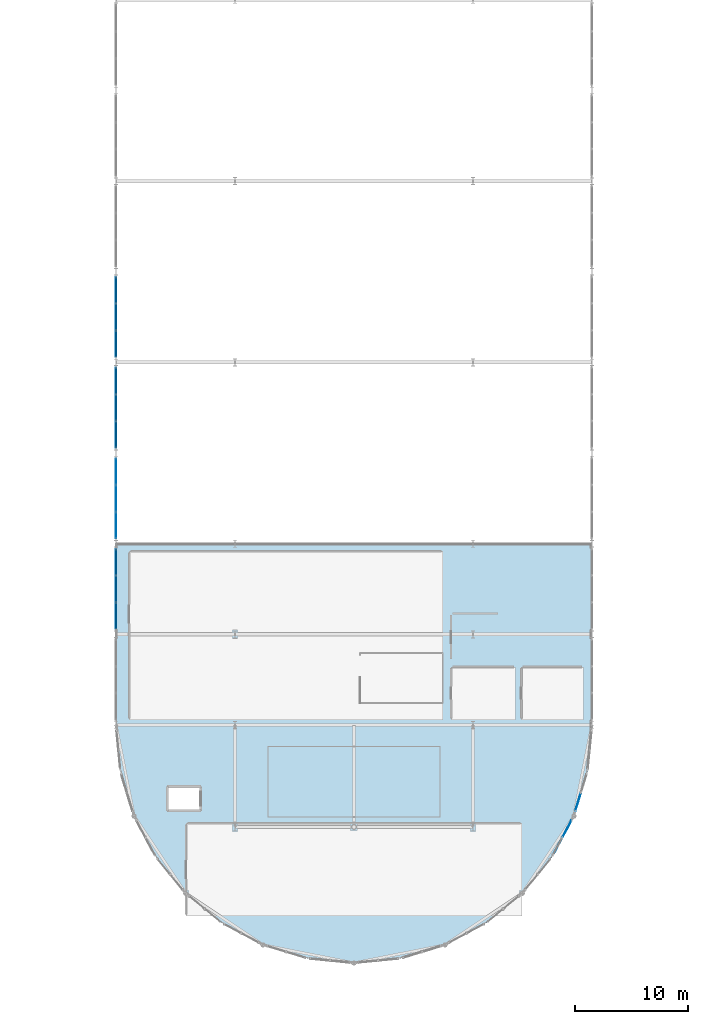
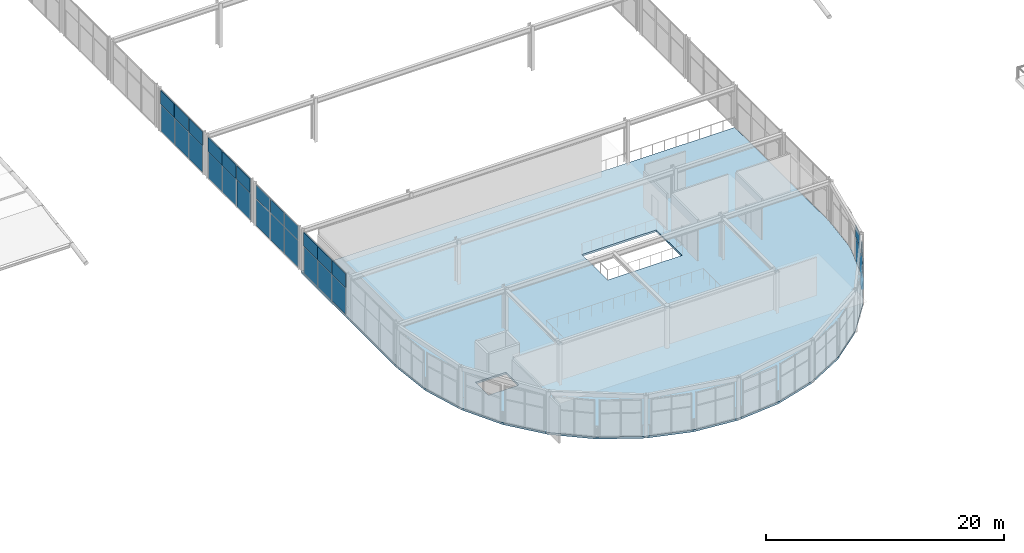
# One storey, part 53 of 105: 29 plates, 1 slab, 6 elements without a shape of their own.
"""IFC4 building model written with IfcOpenShell, lengths in metres."""

from ifc_helpers import new_model, si_unit, direction, frame, origin, origin_2d, place, context, subcontext, project, spatial, polyline, rectangle, outline, extrude, material, layer, layer_set, type_object, element, aggregate, save


model = new_model("IFC4")

# Units and contexts
model_context = context("Model", 3, precision=1e-05, world=origin(), true_north=direction((0.0, 1.0)))
body_context = subcontext(model_context, "Body", "Model", "MODEL_VIEW")
ifc_project = project(units=[si_unit("LENGTHUNIT", "METRE"), si_unit("AREAUNIT", "SQUARE_METRE"), si_unit("VOLUMEUNIT", "CUBIC_METRE"), si_unit("PLANEANGLEUNIT", "RADIAN"), si_unit("MASSUNIT", "GRAM", prefix="KILO")], contexts=[model_context])

# Site, building, storey
site_placement = place(None, origin())
site = spatial("IfcSite", under=ifc_project, at=site_placement, CompositionType="ELEMENT")
building_placement = place(site_placement, origin())
building = spatial("IfcBuilding", under=site, at=building_placement, Name="Marlcrest Central Station", CompositionType="ELEMENT")
storey_placement = place(building_placement, frame((0.0, 0.0, 15.0)))
storey = spatial("IfcBuildingStorey", under=building, at=storey_placement, Name="L03", CompositionType="ELEMENT", Elevation=15.0)

# Curtain wall, plate
ifc_material_1 = material(Name="Anodised aluminium and hurricane laminated glass", Category="aluminium")
ifc_layer_1 = layer(ifc_material_1, 0.219970703125, Name="CW-U1")
ifc_layer_set_1 = layer_set([ifc_layer_1], Name="Anodised aluminium and hurricane laminated glass")
curtain_wall_type = type_object("IfcCurtainWallType", Name="CW-U1", PredefinedType="USERDEFINED", material=ifc_layer_set_1)
curtain_wall_1_placement = place(storey_placement, origin())
curtain_wall_1 = element("IfcCurtainWall", 1, at=curtain_wall_1_placement, inside=storey, type_object=curtain_wall_type, Name="cw-L03-0054", ObjectType="UNITISED_CURTAIN_WALL", PredefinedType="USERDEFINED")
ifc_material_2 = material(Name="Hurricane laminated solar-control glass", Category="glass")
ifc_layer_2 = layer(ifc_material_2, 0.031982421875, Name="CP-01")
ifc_layer_set_2 = layer_set([ifc_layer_2], Name="Hurricane laminated solar-control glass")
plate_type_1 = type_object("IfcPlateType", Name="CP-01", PredefinedType="CURTAIN_PANEL", material=ifc_layer_set_2)
plate_1_placement = place(storey_placement, frame((126.79736328125, 13.33447265625, 0.079833984375), z_axis=(0.0, 0.0, 1.0), x_axis=(-0.471242805349, -0.882003525167, 0.0)))
plate_1 = element("IfcPlate", 2, at=plate_1_placement, type_object=plate_type_1, Name="cw-L03-0054-cp-lo-0", PredefinedType="CURTAIN_PANEL", context=body_context, shape_type="SweptSolid", body=[
    extrude(rectangle(XDim=1.677490234375, YDim=0.031982421875, at=origin_2d()), origin(), (0.0, 0.0, 1.0), 2.35009765625),
])

curtain_wall_2_placement = place(storey_placement, origin())
curtain_wall_2 = element("IfcCurtainWall", 3, at=curtain_wall_2_placement, inside=storey, type_object=curtain_wall_type, Name="cw-L03-0055", ObjectType="UNITISED_CURTAIN_WALL", PredefinedType="USERDEFINED")
plate_2_placement = place(storey_placement, frame((127.772705078125, 15.689453125, 0.079833984375), z_axis=(0.0, 0.0, 1.0), x_axis=(-0.290318080597, -0.956930202302, 0.0)))
plate_2 = element("IfcPlate", 4, at=plate_2_placement, type_object=plate_type_1, Name="cw-L03-0055-cp-lo-1", PredefinedType="CURTAIN_PANEL", context=body_context, shape_type="SweptSolid", body=[
    extrude(rectangle(XDim=1.67724609375, YDim=0.031982421875, at=origin_2d()), origin(), (0.0, 0.0, 1.0), 2.35009765625),
])

# Curtain wall, plates
curtain_wall_3_placement = place(storey_placement, origin())
curtain_wall_3 = element("IfcCurtainWall", 5, at=curtain_wall_3_placement, inside=storey, type_object=curtain_wall_type, Name="cw-L03-0105", ObjectType="UNITISED_CURTAIN_WALL", PredefinedType="USERDEFINED")
plate_3_placement = place(storey_placement, frame((87.0, 32.13330078125, 0.080078125), z_axis=(0.0, 0.0, 1.0), x_axis=(0.0, 1.0, 0.0)))
plate_3 = element("IfcPlate", 6, at=plate_3_placement, type_object=plate_type_1, Name="cw-L03-0105-cp-lo-0", PredefinedType="CURTAIN_PANEL", context=body_context, shape_type="SweptSolid", body=[
    extrude(rectangle(XDim=2.290771484375, YDim=0.031982421875, at=origin_2d()), origin(), (0.0, 0.0, 1.0), 2.7080078125),
])
plate_4_placement = place(storey_placement, frame((87.0, 34.5, 0.080078125), z_axis=(0.0, 0.0, 1.0), x_axis=(0.0, 1.0, 0.0)))
plate_4 = element("IfcPlate", 7, at=plate_4_placement, type_object=plate_type_1, Name="cw-L03-0105-cp-lo-1", PredefinedType="CURTAIN_PANEL", context=body_context, shape_type="SweptSolid", body=[
    extrude(rectangle(XDim=2.290771484375, YDim=0.031982421875, at=origin_2d()), origin(), (0.0, 0.0, 1.0), 2.7080078125),
])
plate_5_placement = place(storey_placement, frame((87.0, 36.86669921875, 0.080078125), z_axis=(0.0, 0.0, 1.0), x_axis=(0.0, 1.0, 0.0)))
plate_5 = element("IfcPlate", 8, at=plate_5_placement, type_object=plate_type_1, Name="cw-L03-0105-cp-lo-2", PredefinedType="CURTAIN_PANEL", context=body_context, shape_type="SweptSolid", body=[
    extrude(rectangle(XDim=2.290771484375, YDim=0.031982421875, at=origin_2d()), origin(), (0.0, 0.0, 1.0), 2.7080078125),
])

curtain_wall_4_placement = place(storey_placement, origin())
curtain_wall_4 = element("IfcCurtainWall", 9, at=curtain_wall_4_placement, inside=storey, type_object=curtain_wall_type, Name="cw-L03-0109", ObjectType="UNITISED_CURTAIN_WALL", PredefinedType="USERDEFINED")
plate_6_placement = place(storey_placement, frame((87.0, 40.13330078125, 0.080078125), z_axis=(0.0, 0.0, 1.0), x_axis=(0.0, 1.0, 0.0)))
plate_6 = element("IfcPlate", 10, at=plate_6_placement, type_object=plate_type_1, Name="cw-L03-0109-cp-lo-0", PredefinedType="CURTAIN_PANEL", context=body_context, shape_type="SweptSolid", body=[
    extrude(rectangle(XDim=2.290771484375, YDim=0.031982421875, at=origin_2d()), origin(), (0.0, 0.0, 1.0), 2.7080078125),
])
plate_7_placement = place(storey_placement, frame((87.0, 42.5, 0.080078125), z_axis=(0.0, 0.0, 1.0), x_axis=(0.0, 1.0, 0.0)))
plate_7 = element("IfcPlate", 11, at=plate_7_placement, type_object=plate_type_1, Name="cw-L03-0109-cp-lo-1", PredefinedType="CURTAIN_PANEL", context=body_context, shape_type="SweptSolid", body=[
    extrude(rectangle(XDim=2.290771484375, YDim=0.031982421875, at=origin_2d()), origin(), (0.0, 0.0, 1.0), 2.7080078125),
])
plate_8_placement = place(storey_placement, frame((87.0, 44.86669921875, 0.080078125), z_axis=(0.0, 0.0, 1.0), x_axis=(0.0, 1.0, 0.0)))
plate_8 = element("IfcPlate", 12, at=plate_8_placement, type_object=plate_type_1, Name="cw-L03-0109-cp-lo-2", PredefinedType="CURTAIN_PANEL", context=body_context, shape_type="SweptSolid", body=[
    extrude(rectangle(XDim=2.290771484375, YDim=0.031982421875, at=origin_2d()), origin(), (0.0, 0.0, 1.0), 2.7080078125),
])

curtain_wall_5_placement = place(storey_placement, origin())
curtain_wall_5 = element("IfcCurtainWall", 13, at=curtain_wall_5_placement, inside=storey, type_object=curtain_wall_type, Name="cw-L03-0113", ObjectType="UNITISED_CURTAIN_WALL", PredefinedType="USERDEFINED")
plate_9_placement = place(storey_placement, frame((87.0, 48.13330078125, 0.080078125), z_axis=(0.0, 0.0, 1.0), x_axis=(0.0, 1.0, 0.0)))
plate_9 = element("IfcPlate", 14, at=plate_9_placement, type_object=plate_type_1, Name="cw-L03-0113-cp-lo-0", PredefinedType="CURTAIN_PANEL", context=body_context, shape_type="SweptSolid", body=[
    extrude(rectangle(XDim=2.290771484375, YDim=0.031982421875, at=origin_2d()), origin(), (0.0, 0.0, 1.0), 2.7080078125),
])
plate_10_placement = place(storey_placement, frame((87.0, 50.5, 0.080078125), z_axis=(0.0, 0.0, 1.0), x_axis=(0.0, 1.0, 0.0)))
plate_10 = element("IfcPlate", 15, at=plate_10_placement, type_object=plate_type_1, Name="cw-L03-0113-cp-lo-1", PredefinedType="CURTAIN_PANEL", context=body_context, shape_type="SweptSolid", body=[
    extrude(rectangle(XDim=2.290771484375, YDim=0.031982421875, at=origin_2d()), origin(), (0.0, 0.0, 1.0), 2.7080078125),
])
plate_11_placement = place(storey_placement, frame((87.0, 52.86669921875, 0.080078125), z_axis=(0.0, 0.0, 1.0), x_axis=(0.0, 1.0, 0.0)))
plate_11 = element("IfcPlate", 16, at=plate_11_placement, type_object=plate_type_1, Name="cw-L03-0113-cp-lo-2", PredefinedType="CURTAIN_PANEL", context=body_context, shape_type="SweptSolid", body=[
    extrude(rectangle(XDim=2.290771484375, YDim=0.031982421875, at=origin_2d()), origin(), (0.0, 0.0, 1.0), 2.7080078125),
])

curtain_wall_6_placement = place(storey_placement, origin())
curtain_wall_6 = element("IfcCurtainWall", 17, at=curtain_wall_6_placement, inside=storey, type_object=curtain_wall_type, Name="cw-L03-0117", ObjectType="UNITISED_CURTAIN_WALL", PredefinedType="USERDEFINED")
plate_12_placement = place(storey_placement, frame((87.0, 56.13330078125, 0.080078125), z_axis=(0.0, 0.0, 1.0), x_axis=(0.0, 1.0, 0.0)))
plate_12 = element("IfcPlate", 18, at=plate_12_placement, type_object=plate_type_1, Name="cw-L03-0117-cp-lo-0", PredefinedType="CURTAIN_PANEL", context=body_context, shape_type="SweptSolid", body=[
    extrude(rectangle(XDim=2.290771484375, YDim=0.031982421875, at=origin_2d()), origin(), (0.0, 0.0, 1.0), 2.7080078125),
])
plate_13_placement = place(storey_placement, frame((87.0, 58.5, 0.080078125), z_axis=(0.0, 0.0, 1.0), x_axis=(0.0, 1.0, 0.0)))
plate_13 = element("IfcPlate", 19, at=plate_13_placement, type_object=plate_type_1, Name="cw-L03-0117-cp-lo-1", PredefinedType="CURTAIN_PANEL", context=body_context, shape_type="SweptSolid", body=[
    extrude(rectangle(XDim=2.290771484375, YDim=0.031982421875, at=origin_2d()), origin(), (0.0, 0.0, 1.0), 2.7080078125),
])
plate_14_placement = place(storey_placement, frame((87.0, 60.86669921875, 0.080078125), z_axis=(0.0, 0.0, 1.0), x_axis=(0.0, 1.0, 0.0)))
plate_14 = element("IfcPlate", 20, at=plate_14_placement, type_object=plate_type_1, Name="cw-L03-0117-cp-lo-2", PredefinedType="CURTAIN_PANEL", context=body_context, shape_type="SweptSolid", body=[
    extrude(rectangle(XDim=2.290771484375, YDim=0.031982421875, at=origin_2d()), origin(), (0.0, 0.0, 1.0), 2.7080078125),
])

# Plate
ifc_material_3 = material(Name="Insulated bronze-anodised aluminium spandrel panel", Category="aluminium")
ifc_layer_3 = layer(ifc_material_3, 0.06005859375, Name="CP-04")
ifc_layer_set_3 = layer_set([ifc_layer_3], Name="Insulated bronze-anodised aluminium spandrel panel")
plate_type_2 = type_object("IfcPlateType", Name="CP-04", PredefinedType="CURTAIN_PANEL", material=ifc_layer_set_3)
plate_15_placement = place(storey_placement, frame((126.79736328125, 13.33447265625, 2.510009765625), z_axis=(0.0, 0.0, 1.0), x_axis=(-0.471242805349, -0.882003525167, 0.0)))
plate_15 = element("IfcPlate", 21, at=plate_15_placement, type_object=plate_type_2, Name="cw-L03-0054-cp-hi-0", PredefinedType="CURTAIN_PANEL", context=body_context, shape_type="SweptSolid", body=[
    extrude(rectangle(XDim=1.677490234375, YDim=0.06005859375, at=origin_2d()), origin(), (0.0, 0.0, 1.0), 1.2099609375),
])

plate_16_placement = place(storey_placement, frame((125.97119140625, 11.787841796875, 2.510009765625), z_axis=(0.0, 0.0, 1.0), x_axis=(-0.471242805349, -0.882003525167, 0.0)))
plate_16 = element("IfcPlate", 22, at=plate_16_placement, type_object=plate_type_2, Name="cw-L03-0054-cp-hi-1", PredefinedType="CURTAIN_PANEL", context=body_context, shape_type="SweptSolid", body=[
    extrude(rectangle(XDim=1.677490234375, YDim=0.06005859375, at=origin_2d()), origin(), (0.0, 0.0, 1.0), 1.2099609375),
])

aggregate(curtain_wall_1, [plate_1, plate_15, plate_16])

ifc_layer_4 = layer(ifc_material_3, 0.050048828125, Name="CP-05")
ifc_layer_set_4 = layer_set([ifc_layer_4], Name="Insulated bronze-anodised aluminium spandrel panel")
plate_type_3 = type_object("IfcPlateType", Name="CP-05", PredefinedType="CURTAIN_PANEL", material=ifc_layer_set_4)
plate_17_placement = place(storey_placement, frame((127.772705078125, 15.689453125, 2.510009765625), z_axis=(0.0, 0.0, 1.0), x_axis=(-0.290318080597, -0.956930202302, 0.0)))
plate_17 = element("IfcPlate", 23, at=plate_17_placement, type_object=plate_type_3, Name="cw-L03-0055-cp-hi-1", PredefinedType="CURTAIN_PANEL", context=body_context, shape_type="SweptSolid", body=[
    extrude(rectangle(XDim=1.67724609375, YDim=0.050048828125, at=origin_2d()), origin(), (0.0, 0.0, 1.0), 1.2099609375),
])

aggregate(curtain_wall_2, [plate_2, plate_17])

plate_18_placement = place(storey_placement, frame((87.0, 40.13330078125, 2.8681640625), z_axis=(0.0, 0.0, 1.0), x_axis=(0.0, 1.0, 0.0)))
plate_18 = element("IfcPlate", 24, at=plate_18_placement, type_object=plate_type_3, Name="cw-L03-0109-cp-hi-0", PredefinedType="CURTAIN_PANEL", context=body_context, shape_type="SweptSolid", body=[
    extrude(rectangle(XDim=2.290771484375, YDim=0.050048828125, at=origin_2d()), origin(), (0.0, 0.0, 1.0), 1.402099609375),
])

plate_19_placement = place(storey_placement, frame((87.0, 42.5, 2.8681640625), z_axis=(0.0, 0.0, 1.0), x_axis=(0.0, 1.0, 0.0)))
plate_19 = element("IfcPlate", 25, at=plate_19_placement, type_object=plate_type_3, Name="cw-L03-0109-cp-hi-1", PredefinedType="CURTAIN_PANEL", context=body_context, shape_type="SweptSolid", body=[
    extrude(rectangle(XDim=2.290771484375, YDim=0.050048828125, at=origin_2d()), origin(), (0.0, 0.0, 1.0), 1.402099609375),
])

plate_20_placement = place(storey_placement, frame((87.0, 44.86669921875, 2.8681640625), z_axis=(0.0, 0.0, 1.0), x_axis=(0.0, 1.0, 0.0)))
plate_20 = element("IfcPlate", 26, at=plate_20_placement, type_object=plate_type_3, Name="cw-L03-0109-cp-hi-2", PredefinedType="CURTAIN_PANEL", context=body_context, shape_type="SweptSolid", body=[
    extrude(rectangle(XDim=2.290771484375, YDim=0.050048828125, at=origin_2d()), origin(), (0.0, 0.0, 1.0), 1.402099609375),
])

aggregate(curtain_wall_4, [plate_6, plate_18, plate_7, plate_19, plate_8, plate_20])

ifc_material_4 = material(Name="Insulated hurricane-rated spandrel panel")
ifc_layer_5 = layer(ifc_material_4, 0.090087890625, Name="CP-07")
ifc_layer_set_5 = layer_set([ifc_layer_5], Name="Insulated hurricane-rated spandrel panel")
plate_type_4 = type_object("IfcPlateType", Name="CP-07", PredefinedType="CURTAIN_PANEL", material=ifc_layer_set_5)
plate_21_placement = place(storey_placement, frame((87.0, 32.13330078125, 2.8681640625), z_axis=(0.0, 0.0, 1.0), x_axis=(0.0, 1.0, 0.0)))
plate_21 = element("IfcPlate", 27, at=plate_21_placement, type_object=plate_type_4, Name="cw-L03-0105-cp-hi-0", PredefinedType="CURTAIN_PANEL", context=body_context, shape_type="SweptSolid", body=[
    extrude(rectangle(XDim=2.290771484375, YDim=0.090087890625, at=origin_2d()), origin(), (0.0, 0.0, 1.0), 1.402099609375),
])

plate_22_placement = place(storey_placement, frame((87.0, 34.5, 2.8681640625), z_axis=(0.0, 0.0, 1.0), x_axis=(0.0, 1.0, 0.0)))
plate_22 = element("IfcPlate", 28, at=plate_22_placement, type_object=plate_type_4, Name="cw-L03-0105-cp-hi-1", PredefinedType="CURTAIN_PANEL", context=body_context, shape_type="SweptSolid", body=[
    extrude(rectangle(XDim=2.290771484375, YDim=0.090087890625, at=origin_2d()), origin(), (0.0, 0.0, 1.0), 1.402099609375),
])

plate_23_placement = place(storey_placement, frame((87.0, 36.86669921875, 2.8681640625), z_axis=(0.0, 0.0, 1.0), x_axis=(0.0, 1.0, 0.0)))
plate_23 = element("IfcPlate", 29, at=plate_23_placement, type_object=plate_type_4, Name="cw-L03-0105-cp-hi-2", PredefinedType="CURTAIN_PANEL", context=body_context, shape_type="SweptSolid", body=[
    extrude(rectangle(XDim=2.290771484375, YDim=0.090087890625, at=origin_2d()), origin(), (0.0, 0.0, 1.0), 1.402099609375),
])

aggregate(curtain_wall_3, [plate_3, plate_21, plate_4, plate_22, plate_5, plate_23])

plate_24_placement = place(storey_placement, frame((87.0, 56.13330078125, 2.8681640625), z_axis=(0.0, 0.0, 1.0), x_axis=(0.0, 1.0, 0.0)))
plate_24 = element("IfcPlate", 30, at=plate_24_placement, type_object=plate_type_4, Name="cw-L03-0117-cp-hi-0", PredefinedType="CURTAIN_PANEL", context=body_context, shape_type="SweptSolid", body=[
    extrude(rectangle(XDim=2.290771484375, YDim=0.090087890625, at=origin_2d()), origin(), (0.0, 0.0, 1.0), 1.402099609375),
])

plate_25_placement = place(storey_placement, frame((87.0, 58.5, 2.8681640625), z_axis=(0.0, 0.0, 1.0), x_axis=(0.0, 1.0, 0.0)))
plate_25 = element("IfcPlate", 31, at=plate_25_placement, type_object=plate_type_4, Name="cw-L03-0117-cp-hi-1", PredefinedType="CURTAIN_PANEL", context=body_context, shape_type="SweptSolid", body=[
    extrude(rectangle(XDim=2.290771484375, YDim=0.090087890625, at=origin_2d()), origin(), (0.0, 0.0, 1.0), 1.402099609375),
])

plate_26_placement = place(storey_placement, frame((87.0, 60.86669921875, 2.8681640625), z_axis=(0.0, 0.0, 1.0), x_axis=(0.0, 1.0, 0.0)))
plate_26 = element("IfcPlate", 32, at=plate_26_placement, type_object=plate_type_4, Name="cw-L03-0117-cp-hi-2", PredefinedType="CURTAIN_PANEL", context=body_context, shape_type="SweptSolid", body=[
    extrude(rectangle(XDim=2.290771484375, YDim=0.090087890625, at=origin_2d()), origin(), (0.0, 0.0, 1.0), 1.402099609375),
])

aggregate(curtain_wall_6, [plate_12, plate_24, plate_13, plate_25, plate_14, plate_26])

ifc_material_5 = material(Name="Insulated fire-safing spandrel panel")
ifc_layer_6 = layer(ifc_material_5, 0.1201171875, Name="CP-09")
ifc_layer_set_6 = layer_set([ifc_layer_6], Name="Insulated fire-safing spandrel panel")
plate_type_5 = type_object("IfcPlateType", Name="CP-09", PredefinedType="CURTAIN_PANEL", material=ifc_layer_set_6)
plate_27_placement = place(storey_placement, frame((87.0, 48.13330078125, 2.8681640625), z_axis=(0.0, 0.0, 1.0), x_axis=(0.0, 1.0, 0.0)))
plate_27 = element("IfcPlate", 33, at=plate_27_placement, type_object=plate_type_5, Name="cw-L03-0113-cp-hi-0", PredefinedType="CURTAIN_PANEL", context=body_context, shape_type="SweptSolid", body=[
    extrude(rectangle(XDim=2.290771484375, YDim=0.1201171875, at=origin_2d()), origin(), (0.0, 0.0, 1.0), 1.402099609375),
])

plate_28_placement = place(storey_placement, frame((87.0, 50.5, 2.8681640625), z_axis=(0.0, 0.0, 1.0), x_axis=(0.0, 1.0, 0.0)))
plate_28 = element("IfcPlate", 34, at=plate_28_placement, type_object=plate_type_5, Name="cw-L03-0113-cp-hi-1", PredefinedType="CURTAIN_PANEL", context=body_context, shape_type="SweptSolid", body=[
    extrude(rectangle(XDim=2.290771484375, YDim=0.1201171875, at=origin_2d()), origin(), (0.0, 0.0, 1.0), 1.402099609375),
])

plate_29_placement = place(storey_placement, frame((87.0, 52.86669921875, 2.8681640625), z_axis=(0.0, 0.0, 1.0), x_axis=(0.0, 1.0, 0.0)))
plate_29 = element("IfcPlate", 35, at=plate_29_placement, type_object=plate_type_5, Name="cw-L03-0113-cp-hi-2", PredefinedType="CURTAIN_PANEL", context=body_context, shape_type="SweptSolid", body=[
    extrude(rectangle(XDim=2.290771484375, YDim=0.1201171875, at=origin_2d()), origin(), (0.0, 0.0, 1.0), 1.402099609375),
])

aggregate(curtain_wall_5, [plate_9, plate_27, plate_10, plate_28, plate_11, plate_29])

# Slab
ifc_material_6 = material(Name="Concrete C35/45", Category="concrete")
ifc_layer_7 = layer(ifc_material_6, 0.199951171875, Name="FS-03")
ifc_layer_set_7 = layer_set([ifc_layer_7], Name="Concrete C35/45")
slab_type = type_object("IfcSlabType", Name="FS-03", PredefinedType="FLOOR", material=ifc_layer_set_7)
slab_placement = place(storey_placement, frame((0.0, 0.0, -0.199951171875)))
element("IfcSlab", 36, at=slab_placement, inside=storey, type_object=slab_type, Name="slab-L03-0092", PredefinedType="FLOOR", context=body_context, shape_type="SweptSolid", body=[
    extrude(outline(polyline([(87.0, 22.5), (87.404052734375, 18.403076171875), (88.59912109375, 14.464111328125), (90.5390625, 10.8330078125), (93.15087890625, 7.65087890625), (96.3330078125, 5.0390625), (99.964111328125, 3.09912109375), (103.903076171875, 1.904052734375), (108.0, 1.5), (112.096923828125, 1.904052734375), (116.035888671875, 3.09912109375), (119.6669921875, 5.0390625), (122.84912109375, 7.65087890625), (125.4609375, 10.8330078125), (127.40087890625, 14.464111328125), (128.595947265625, 18.403076171875), (129.0, 22.5), (129.0, 38.5), (87.0, 38.5), (87.0, 22.5)]), holes=[polyline([(108.60009765625, 24.5), (115.800048828125, 24.5), (115.800048828125, 28.800048828125), (108.60009765625, 28.800048828125), (108.60009765625, 24.5)]), polyline([(91.52001953125, 14.919921875), (94.47998046875, 14.919921875), (94.47998046875, 17.080078125), (91.52001953125, 17.080078125), (91.52001953125, 14.919921875)])]), origin(), (0.0, 0.0, 1.0), 0.199951171875),
])

save(model, "model.ifc")
